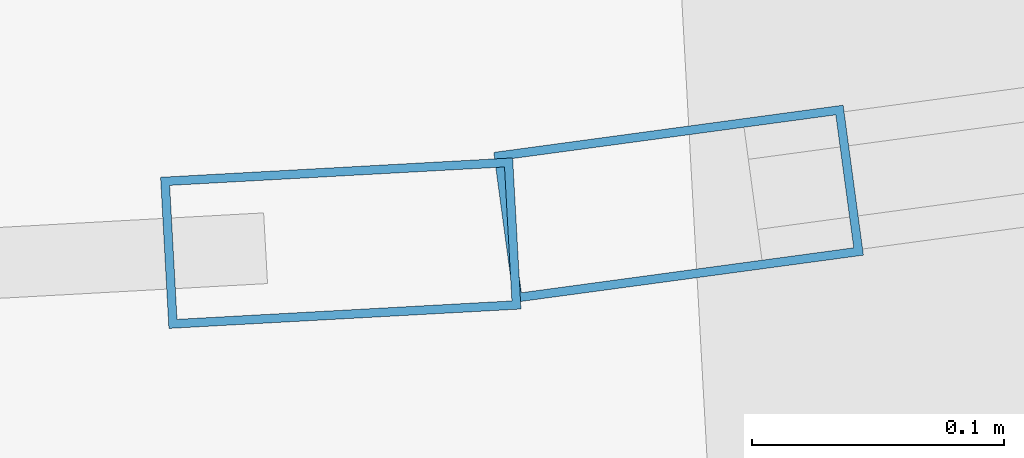
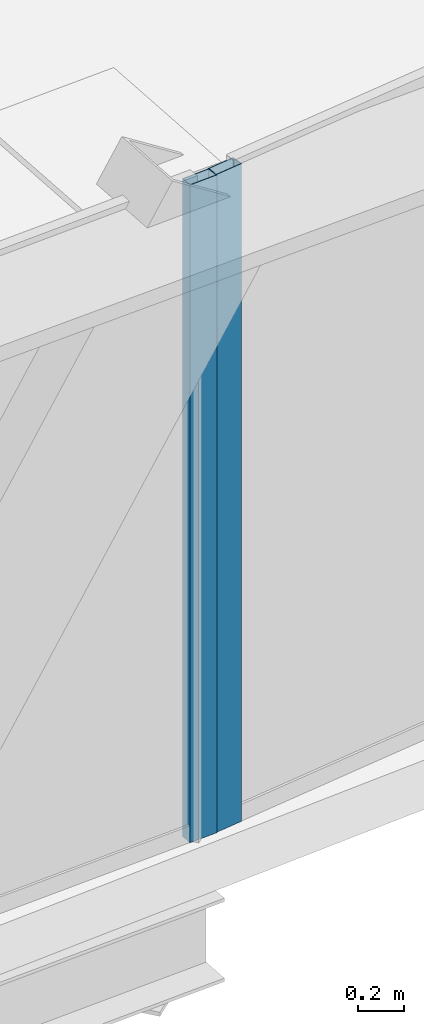
# One storey, part 12 of 35: 2 members, 2 elements without a shape of their own.
"""IFC4 building model written with IfcOpenShell, lengths in metres."""

from ifc_helpers import new_model, si_unit, direction, frame, origin, origin_2d, place, context, subcontext, project, spatial, hollow_rectangle, extrude, source, transform, mapped, material, layer, layer_set, material_profile, profile_set, type_object, element, aggregate, save


model = new_model("IFC4")

# Units and contexts
model_context = context("Model", 3, precision=1e-05, world=origin(), true_north=direction((0.0, 1.0)))
body_context = subcontext(model_context, "Body", "Model", "MODEL_VIEW")
ifc_project = project(units=[si_unit("LENGTHUNIT", "METRE"), si_unit("AREAUNIT", "SQUARE_METRE"), si_unit("VOLUMEUNIT", "CUBIC_METRE"), si_unit("PLANEANGLEUNIT", "RADIAN"), si_unit("MASSUNIT", "GRAM", prefix="KILO"), si_unit("THERMODYNAMICTEMPERATUREUNIT", "KELVIN"), si_unit("POWERUNIT", "WATT")], contexts=[model_context])

# Site, building, storey
site_placement = place(None, origin())
site = spatial("IfcSite", under=ifc_project, at=site_placement, CompositionType="ELEMENT")
building_placement = place(site_placement, origin())
building = spatial("IfcBuilding", under=site, at=building_placement, Name="Yunzhuo Pagoda Commons", CompositionType="ELEMENT")
storey_placement = place(building_placement, frame((0.0, 0.0, 237.070068359375)))
storey = spatial("IfcBuildingStorey", under=building, at=storey_placement, Name="L59", CompositionType="ELEMENT", Elevation=237.070068359375)

# Curtain wall, member
ifc_material = material(Name="Anodized aluminium 6063-T6", Category="aluminium")
ifc_layer = layer(ifc_material, 0.139892578125)
ifc_layer_set = layer_set([ifc_layer], Name="Anodized aluminium 6063-T6")
curtain_wall_type = type_object("IfcCurtainWallType", Name="CW-HI High-Zone Ribbon Curtain Wall", PredefinedType="NOTDEFINED", material=ifc_layer_set)
curtain_wall_1_placement = place(storey_placement, origin())
curtain_wall_1 = element("IfcCurtainWall", 1, at=curtain_wall_1_placement, inside=storey, type_object=curtain_wall_type, Name="L59 curtain wall CW-L59-F1B4", PredefinedType="NOTDEFINED")
ifc_material_profile = material_profile(ifc_material, hollow_rectangle(XDim=0.06005859375, YDim=0.139892578125, WallThickness=0.00341796875, at=origin_2d()), Name="Anodized aluminium 6063-T6")
ifc_profile_set = profile_set([ifc_material_profile], Name="Anodized aluminium 6063-T6")
member_type = type_object("IfcMemberType", Name="CW-HI-M Mullion RHS 140x60x3.5", PredefinedType="MULLION", material=ifc_profile_set)
shared_shape = source(origin(), body_context, "Body", "SweptSolid", [
    extrude(hollow_rectangle(XDim=0.06005859375, YDim=0.139892578125, WallThickness=0.00341796875, at=origin_2d()), origin(), (0.0, 0.0, 1.0), 3.469970703125),
])
member_1_placement = place(storey_placement, frame((62.5927734375, 16.27197265625, 0.0), z_axis=(0.0, 0.0, 1.0), x_axis=(-0.054981193813, 0.998487390169, 0.0)))
member_1 = element("IfcMember", 2, at=member_1_placement, type_object=member_type, Name="CW mullion 2", PredefinedType="MULLION", context=body_context, shape_type="MappedRepresentation", body=[
    mapped(shared_shape, transform((0.0, 0.0, 0.0), scale=1.0)),
])
aggregate(curtain_wall_1, [member_1])

curtain_wall_2_placement = place(storey_placement, origin())
curtain_wall_2 = element("IfcCurtainWall", 3, at=curtain_wall_2_placement, inside=storey, type_object=curtain_wall_type, Name="L59 curtain wall CW-L59-F1B5", PredefinedType="NOTDEFINED")
member_2_placement = place(storey_placement, frame((62.726806640625, 16.28759765625, 0.0), z_axis=(0.0, 0.0, 1.0), x_axis=(-0.133929585963, 0.990990850616, 0.0)))
member_2 = element("IfcMember", 4, at=member_2_placement, type_object=member_type, Name="CW mullion 1", PredefinedType="MULLION", context=body_context, shape_type="MappedRepresentation", body=[
    mapped(shared_shape, transform((0.0, 0.0, 0.0), scale=1.0)),
])
aggregate(curtain_wall_2, [member_2])

save(model, "model.ifc")
